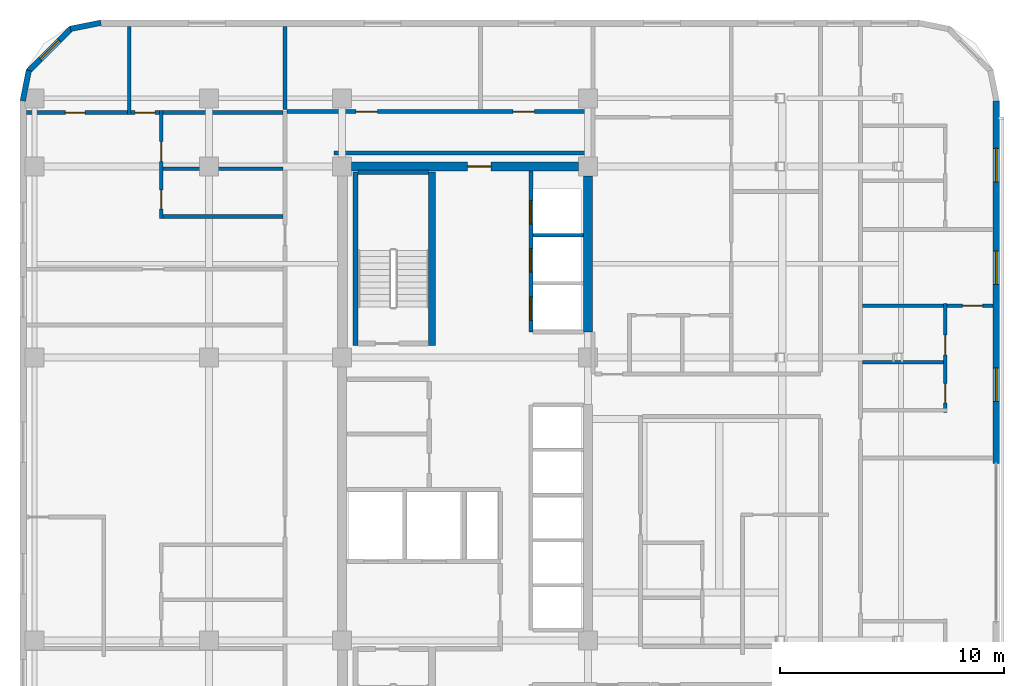
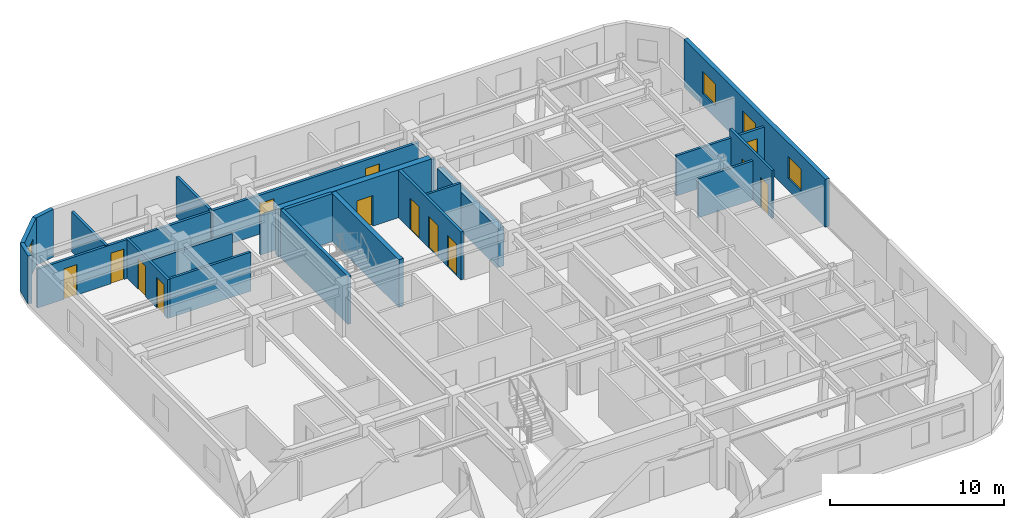
# One storey, part 9 of 14: 22 walls, 13 doors, 4 windows, 17 openings.
"""IFC4 building model written with IfcOpenShell, lengths in metres."""

import ifcopenshell
import ifcopenshell.guid

model = None  # the IFC model being written
_history = None  # IfcOwnerHistory: only IFC2X3 demands one
_inside = {}  # id of a spatial element -> (the spatial element, [elements in it])
_under = {}  # id of a project, library or spatial element -> (it, [spatial elements below it])
_declared = {}  # id of a project -> (the project, [libraries it declares])
_typed = {}  # id of a type object -> (the type object, [elements of that type])
_made_of = {}  # id of a material, layer set ... -> (it, [elements and type objects made of it])


def new_model(schema):
    """Start an empty IFC model of exactly this schema.

    Asked for "IFC4X3", IfcOpenShell would pick the latest addendum, in which some entities
    have other attributes; the version numbers below select the first issue.
    IFC2X3 requires an IfcOwnerHistory on every rooted entity: one is made here for all.
    """
    global model, _history
    if schema == "IFC4X3":
        model = ifcopenshell.file(schema_version=(4, 3, 0, 0))
    else:
        model = ifcopenshell.file(schema=schema)
    _inside.clear()
    _under.clear()
    _declared.clear()
    _typed.clear()
    _made_of.clear()
    _history = None
    if model.schema == "IFC2X3":
        org = make("IfcOrganization", Name="unknown")
        user = make(
            "IfcPersonAndOrganization",
            ThePerson=make("IfcPerson", FamilyName="unknown"),
            TheOrganization=org,
        )
        app = make(
            "IfcApplication",
            ApplicationDeveloper=org,
            Version="unknown",
            ApplicationFullName="unknown",
            ApplicationIdentifier="unknown",
        )
        _history = make(
            "IfcOwnerHistory",
            OwningUser=user,
            OwningApplication=app,
            ChangeAction="ADDED",
            CreationDate=0,
        )
    return model


def make(cls, **values):
    """One entity of the class cls with the attributes given. An attribute that is None is left unset."""
    return model.create_entity(
        cls, **{name: value for name, value in values.items() if value is not None}
    )


def rooted(cls, **values):
    """An entity with a GlobalId (a new one), such as an element, a storey or a relation."""
    return make(cls, GlobalId=ifcopenshell.guid.new(), OwnerHistory=_history, **values)


def si_unit(unit_type, name, prefix=None):
    """IfcSIUnit, for example si_unit("LENGTHUNIT", "METRE", prefix="MILLI")."""
    return make("IfcSIUnit", UnitType=unit_type, Prefix=prefix, Name=name)


def assignment(units):
    """IfcUnitAssignment: the units of a project."""
    return None if units is None else make("IfcUnitAssignment", Units=units)


def point(xyz):
    """IfcCartesianPoint."""
    return None if xyz is None else make("IfcCartesianPoint", Coordinates=xyz)


def direction(xyz):
    """IfcDirection."""
    return None if xyz is None else make("IfcDirection", DirectionRatios=xyz)


def frame(location, z_axis=None, x_axis=None):
    """IfcAxis2Placement3D, a coordinate frame: its origin and axes. An axis left out is left unset."""
    return make(
        "IfcAxis2Placement3D",
        Location=point(location),
        Axis=direction(z_axis),
        RefDirection=direction(x_axis),
    )


def frame_2d(location, x_axis=None):
    """IfcAxis2Placement2D, a coordinate frame in the plane: its origin and x axis."""
    return make(
        "IfcAxis2Placement2D", Location=point(location), RefDirection=direction(x_axis)
    )


def origin():
    """The frame at (0, 0, 0) with its axes left unset."""
    return frame((0.0, 0.0, 0.0))


def place(relative_to, where):
    """IfcLocalPlacement: puts the frame where relative to a parent placement (None: the world)."""
    return make(
        "IfcLocalPlacement", PlacementRelTo=relative_to, RelativePlacement=where
    )


def context(
    kind, dimensions, precision=None, world=None, true_north=None, identifier=None
):
    """IfcGeometricRepresentationContext, for example the 3D "Model" context."""
    return make(
        "IfcGeometricRepresentationContext",
        ContextIdentifier=identifier,
        ContextType=kind,
        CoordinateSpaceDimension=dimensions,
        Precision=precision,
        WorldCoordinateSystem=world,
        TrueNorth=true_north,
    )


def subcontext(parent, identifier, kind, view, scale=None):
    """IfcGeometricRepresentationSubContext, for example "Body" below "Model"."""
    return make(
        "IfcGeometricRepresentationSubContext",
        ContextIdentifier=identifier,
        ContextType=kind,
        ParentContext=parent,
        TargetScale=scale,
        TargetView=view,
    )


def project(units=None, contexts=None):
    """IfcProject with its units and contexts."""
    return rooted(
        "IfcProject",
        Name="project",
        RepresentationContexts=contexts,
        UnitsInContext=assignment(units),
    )


def spatial(cls, under=None, at=None, **own):
    """A site, building, storey or space (cls), placed at a placement, below another one or the project."""
    s = rooted(cls, ObjectPlacement=at, **own)
    if under is not None:
        _under.setdefault(under.id(), (under, []))[1].append(s)
    return s


def profile(cls, at=None, kind="AREA", **sizes):
    """A parametric profile (cls). Its sizes go by their IFC names, for example OverallWidth=200.0."""
    return make(cls, ProfileType=kind, Position=at, **sizes)


def rectangle(**sizes):
    """IfcRectangleProfileDef."""
    return profile("IfcRectangleProfileDef", **sizes)


def extrude(swept, where, along, depth):
    """IfcExtrudedAreaSolid: the profile swept, set in the frame where, extruded along a direction by depth."""
    return make(
        "IfcExtrudedAreaSolid",
        SweptArea=swept,
        Position=where,
        ExtrudedDirection=direction(along),
        Depth=depth,
    )


def shape(context_of_items, identifier, shape_type, items):
    """IfcShapeRepresentation: the items that make up one representation, for example the "Body"."""
    return make(
        "IfcShapeRepresentation",
        ContextOfItems=context_of_items,
        RepresentationIdentifier=identifier,
        RepresentationType=shape_type,
        Items=items,
    )


def material(Name=None, Category=None):
    """IfcMaterial."""
    return make("IfcMaterial", Name=Name, Category=Category)


def layer(
    of_material, thickness, ventilated=None, Name=None, Category=None, Priority=None
):
    """IfcMaterialLayer: one layer of a wall or slab, of a material (None: an air gap)."""
    return make(
        "IfcMaterialLayer",
        Material=of_material,
        LayerThickness=thickness,
        IsVentilated=ventilated,
        Name=Name,
        Category=Category,
        Priority=Priority,
    )


def layer_set(layers, Name=None):
    """IfcMaterialLayerSet."""
    return make("IfcMaterialLayerSet", MaterialLayers=layers, LayerSetName=Name)


def made_of(thing, what):
    """Note that an element or type object is made of a material, layer set ...; save() writes the relation."""
    if what is not None:
        _made_of.setdefault(what.id(), (what, []))[1].append(thing)
    return thing


def type_object(cls, material=None, **own):
    """A type object (cls), such as IfcWallType, which elements share."""
    return made_of(rooted(cls, **own), material)


def element(
    cls,
    number,
    at=None,
    inside=None,
    cuts=None,
    type_object=None,
    material=None,
    context=None,
    identifier="Body",
    shape_type=None,
    held_by="IfcProductDefinitionShape",
    body=None,
    shapes=None,
    **own,
):
    """One element of the class cls, such as IfcWall. Its Tag is "e" and its number.

    at: its placement. inside: the storey or other place that contains it. cuts: it is an
    opening in that element (IfcRelVoidsElement). A single representation is given by context,
    identifier, shape_type and body (its items); several are given by shapes. held_by: the class
    of the entity that holds the representations. save() writes the other relations.
    """
    e = rooted(cls, Tag="e%d" % number, ObjectPlacement=at, **own)
    if body is not None:
        shapes = [shape(context, identifier, shape_type, body)]
    if shapes is not None:
        e.Representation = make(held_by, Representations=shapes)
    if inside is not None:
        _inside.setdefault(inside.id(), (inside, []))[1].append(e)
    if cuts is not None:
        rooted(
            "IfcRelVoidsElement", RelatingBuildingElement=cuts, RelatedOpeningElement=e
        )
    if type_object is not None:
        _typed.setdefault(type_object.id(), (type_object, []))[1].append(e)
    return made_of(e, material)


def fill(opening, filler):
    """IfcRelFillsElement: the door or window that sits in an opening."""
    return rooted(
        "IfcRelFillsElement",
        RelatingOpeningElement=opening,
        RelatedBuildingElement=filler,
    )


def aggregate(whole, parts):
    """IfcRelAggregates: a whole, such as a stair, and the parts it consists of."""
    return rooted("IfcRelAggregates", RelatingObject=whole, RelatedObjects=parts)


def save(model, path):
    """Write the relations noted so far, then the file.

    IfcRelAggregates (storeys below a building ...), IfcRelContainedInSpatialStructure (elements
    in a storey), IfcRelDefinesByType, IfcRelAssociatesMaterial and IfcRelDeclares: one each for
    every whole, place, type object, material and project.
    """
    for whole, parts in _under.values():
        aggregate(whole, parts)
    for where, things in _inside.values():
        rooted(
            "IfcRelContainedInSpatialStructure",
            RelatedElements=things,
            RelatingStructure=where,
        )
    for kind, things in _typed.values():
        rooted("IfcRelDefinesByType", RelatedObjects=things, RelatingType=kind)
    for what, things in _made_of.values():
        rooted("IfcRelAssociatesMaterial", RelatedObjects=things, RelatingMaterial=what)
    for by, libraries in _declared.values():
        rooted("IfcRelDeclares", RelatingContext=by, RelatedDefinitions=libraries)
    model.write(path)


model = new_model("IFC4")

# Units and contexts
model_context = context("Model", 3, precision=1e-05, world=origin(), true_north=direction((0.0, 1.0)))
body_context = subcontext(model_context, "Body", "Model", "MODEL_VIEW")
ifc_project = project(units=[si_unit("LENGTHUNIT", "METRE"), si_unit("AREAUNIT", "SQUARE_METRE"), si_unit("VOLUMEUNIT", "CUBIC_METRE"), si_unit("PLANEANGLEUNIT", "RADIAN"), si_unit("MASSUNIT", "GRAM", prefix="KILO")], contexts=[model_context])

# Site, building, storey
site_placement = place(None, origin())
site = spatial("IfcSite", under=ifc_project, at=site_placement, CompositionType="ELEMENT")
building_placement = place(site_placement, origin())
building = spatial("IfcBuilding", under=site, at=building_placement, Name="Ochreholt Gables", CompositionType="ELEMENT")
storey_placement = place(building_placement, frame((0.0, 0.0, 109.800048828125)))
storey = spatial("IfcBuildingStorey", under=building, at=storey_placement, Name="L28", CompositionType="ELEMENT", Elevation=109.800048828125)

# Wall
ifc_material_1 = material(Name="Concrete 60 MPa", Category="concrete")
ifc_layer_1 = layer(ifc_material_1, 0.39990234375, Name="Concrete 60 MPa")
ifc_layer_set_1 = layer_set([ifc_layer_1], Name="Concrete 60 MPa")
wall_type_1 = type_object("IfcWallType", Name="WALL-CSW-400", PredefinedType="SHEAR", material=ifc_layer_set_1)
wall_1_placement = place(storey_placement, frame((35.199951171875, 31.35009765625, 0.0), z_axis=(0.0, 0.0, 1.0), x_axis=(0.0, 1.0, 0.0)))
element("IfcWall", 1, at=wall_1_placement, inside=storey, type_object=wall_type_1, Name="L28 Core North-East Shear Wall", PredefinedType="SHEAR", context=body_context, shape_type="SweptSolid", body=[
    extrude(rectangle(XDim=6.974853515625, YDim=0.39990234375, at=frame_2d((3.4873046875, 0.0))), origin(), (0.0, 0.0, 1.0), 2.7490234375),
])

# Wall, opening, door
wall_2_placement = place(storey_placement, frame((24.625, 38.75, 0.0), z_axis=(0.0, 0.0, 1.0), x_axis=(1.0, 0.0, 0.0)))
wall_2 = element("IfcWall", 2, at=wall_2_placement, inside=storey, type_object=wall_type_1, Name="L28 Core North Shear Wall", PredefinedType="SHEAR", context=body_context, shape_type="SweptSolid", body=[
    extrude(rectangle(XDim=10.14990234375, YDim=0.39990234375, at=frame_2d((5.074951171875, 0.0))), origin(), (0.0, 0.0, 1.0), 3.35986328125),
])
opening_1_placement = place(wall_2_placement, frame((5.199951171875, 0.0, 0.0)))
opening_1 = element("IfcOpeningElement", 3, at=opening_1_placement, cuts=wall_2, Name="Opening D-FLB", PredefinedType="OPENING", context=body_context, shape_type="SweptSolid", body=[
    extrude(rectangle(XDim=1.050048828125, YDim=2.14990234375, at=frame_2d((0.52490234375, 1.074951171875))), frame((0.0, 0.2099609375, 0.0), z_axis=(0.0, -1.0, 0.0), x_axis=(1.0, 0.0, 0.0)), (0.0, 0.0, 1.0), 0.419921875),
])
ifc_material_2 = material(Name="Hollow Metal Steel", Category="steel")
door_type_1 = type_object("IfcDoorType", Name="DR-INT-FLB1050", OperationType="NOTDEFINED", PredefinedType="DOOR", material=ifc_material_2)
door_1_placement = place(opening_1_placement, frame((1.050048828125, 0.0, 0.0), z_axis=(0.0, 0.0, 1.0), x_axis=(-1.0, 0.0, 0.0)))
door_1 = element("IfcDoor", 4, at=door_1_placement, inside=storey, type_object=door_type_1, Name="L28 Door D-C2CRN-L28", OperationType="SINGLE_SWING_RIGHT", OverallHeight=2.14990234375, OverallWidth=1.050048828125, PredefinedType="DOOR", context=body_context, shape_type="SweptSolid", body=[
    extrude(rectangle(XDim=1.050048828125, YDim=2.14990234375, at=frame_2d((0.52490234375, 1.074951171875))), frame((0.0, 0.02490234375, 0.0), z_axis=(0.0, -1.0, 0.0), x_axis=(1.0, 0.0, 0.0)), (0.0, 0.0, 1.0), 0.050048828125),
])
fill(opening_1, door_1)

# Wall, openings, windows
ifc_material_3 = material(Name="Precast concrete 40 MPa", Category="concrete")
ifc_layer_2 = layer(ifc_material_3, 0.280029296875, Name="Precast concrete 40 MPa")
ifc_layer_set_2 = layer_set([ifc_layer_2], Name="Precast concrete 40 MPa")
wall_type_2 = type_object("IfcWallType", Name="WALL-EXT-280", PredefinedType="SOLIDWALL", material=ifc_layer_set_2)
wall_3_placement = place(storey_placement, frame((53.4599609375, 25.4541015625, 0.0), z_axis=(0.0, 0.0, 1.0), x_axis=(0.0, 1.0, 0.0)))
wall_3 = element("IfcWall", 5, at=wall_3_placement, inside=storey, type_object=wall_type_2, Name="L28 East Facade Wall 2", PredefinedType="SOLIDWALL", context=body_context, shape_type="SweptSolid", body=[
    extrude(rectangle(XDim=16.225830078125, YDim=0.280029296875, at=frame_2d((8.11279296875, 0.0))), origin(), (0.0, 0.0, 1.0), 3.35986328125),
])
opening_2_placement = place(wall_3_placement, frame((2.78466796875, 0.0, 0.85009765625)))
opening_2 = element("IfcOpeningElement", 6, at=opening_2_placement, cuts=wall_3, Name="Opening WN-2", PredefinedType="OPENING", context=body_context, shape_type="SweptSolid", body=[
    extrude(rectangle(XDim=1.5, YDim=1.550048828125, at=frame_2d((0.75, 0.77490234375))), frame((0.0, 0.14990234375, 0.0), z_axis=(0.0, -1.0, 0.0), x_axis=(1.0, 0.0, 0.0)), (0.0, 0.0, 1.0), 0.300048828125),
])
opening_3_placement = place(wall_3_placement, frame((8.021728515625, 0.0, 0.85009765625)))
opening_3 = element("IfcOpeningElement", 7, at=opening_3_placement, cuts=wall_3, Name="Opening WN-2", PredefinedType="OPENING", context=body_context, shape_type="SweptSolid", body=[
    extrude(rectangle(XDim=1.5, YDim=1.550048828125, at=frame_2d((0.75, 0.77490234375))), frame((0.0, 0.14990234375, 0.0), z_axis=(0.0, -1.0, 0.0), x_axis=(1.0, 0.0, 0.0)), (0.0, 0.0, 1.0), 0.300048828125),
])
opening_4_placement = place(wall_3_placement, frame((12.60009765625, 0.0, 0.85009765625)))
opening_4 = element("IfcOpeningElement", 8, at=opening_4_placement, cuts=wall_3, Name="Opening WN-2", PredefinedType="OPENING", context=body_context, shape_type="SweptSolid", body=[
    extrude(rectangle(XDim=1.5, YDim=1.550048828125, at=frame_2d((0.75, 0.77490234375))), frame((0.0, 0.14990234375, 0.0), z_axis=(0.0, -1.0, 0.0), x_axis=(1.0, 0.0, 0.0)), (0.0, 0.0, 1.0), 0.300048828125),
])
ifc_material_4 = material(Name="Triple-Glazed Thermally Broken Aluminium Window", Category="aluminium")
window_type_1 = type_object("IfcWindowType", Name="WIN-RES-1500", PartitioningType="SINGLE_PANEL", PredefinedType="WINDOW", material=ifc_material_4)
window_1_placement = place(opening_2_placement, origin())
window_1 = element("IfcWindow", 9, at=window_1_placement, inside=storey, type_object=window_type_1, Name="L28 Window W-EXT-E2-L28-1", OverallHeight=1.550048828125, OverallWidth=1.5, PartitioningType="SINGLE_PANEL", PredefinedType="WINDOW", context=body_context, shape_type="SweptSolid", body=[
    extrude(rectangle(XDim=1.5, YDim=1.550048828125, at=frame_2d((0.75, 0.77490234375))), frame((0.0, 0.030029296875, 0.0), z_axis=(0.0, -1.0, 0.0), x_axis=(1.0, 0.0, 0.0)), (0.0, 0.0, 1.0), 0.06005859375),
])
fill(opening_2, window_1)
window_2_placement = place(opening_3_placement, origin())
window_2 = element("IfcWindow", 10, at=window_2_placement, inside=storey, type_object=window_type_1, Name="L28 Window W-EXT-E2-L28-2", OverallHeight=1.550048828125, OverallWidth=1.5, PartitioningType="SINGLE_PANEL", PredefinedType="WINDOW", context=body_context, shape_type="SweptSolid", body=[
    extrude(rectangle(XDim=1.5, YDim=1.550048828125, at=frame_2d((0.75, 0.77490234375))), frame((0.0, 0.030029296875, 0.0), z_axis=(0.0, -1.0, 0.0), x_axis=(1.0, 0.0, 0.0)), (0.0, 0.0, 1.0), 0.06005859375),
])
fill(opening_3, window_2)
window_3_placement = place(opening_4_placement, origin())
window_3 = element("IfcWindow", 11, at=window_3_placement, inside=storey, type_object=window_type_1, Name="L28 Window W-EXT-E2-L28-3", OverallHeight=1.550048828125, OverallWidth=1.5, PartitioningType="SINGLE_PANEL", PredefinedType="WINDOW", context=body_context, shape_type="SweptSolid", body=[
    extrude(rectangle(XDim=1.5, YDim=1.550048828125, at=frame_2d((0.75, 0.77490234375))), frame((0.0, 0.030029296875, 0.0), z_axis=(0.0, -1.0, 0.0), x_axis=(1.0, 0.0, 0.0)), (0.0, 0.0, 1.0), 0.06005859375),
])
fill(opening_4, window_3)

# Wall
ifc_layer_3 = layer(ifc_material_3, 0.25, Name="Precast concrete 40 MPa")
ifc_layer_set_3 = layer_set([ifc_layer_3], Name="Precast concrete 40 MPa")
wall_type_3 = type_object("IfcWallType", Name="WALL-EXT-CNR", PredefinedType="SOLIDWALL", material=ifc_layer_set_3)
wall_4_placement = place(storey_placement, frame((13.41650390625, 45.17578125, 0.0), z_axis=(0.0, 0.0, 1.0), x_axis=(-0.980809899341, -0.19496651342, 0.0)))
element("IfcWall", 12, at=wall_4_placement, inside=storey, type_object=wall_type_3, Name="L28 Rounded Corner Wall NW-1", PredefinedType="SOLIDWALL", context=body_context, shape_type="SweptSolid", body=[
    extrude(rectangle(XDim=1.388671875, YDim=0.25, at=frame_2d((0.6943359375, 0.0))), origin(), (0.0, 0.0, 1.0), 3.35986328125),
])

# Wall, opening, window
wall_5_placement = place(storey_placement, frame((12.10498046875, 44.931884765625, 0.0), z_axis=(0.0, 0.0, 1.0), x_axis=(-0.707151344399, -0.707062215165, 0.0)))
wall_5 = element("IfcWall", 13, at=wall_5_placement, inside=storey, type_object=wall_type_3, Name="L28 Rounded Corner Wall NW-2", PredefinedType="SOLIDWALL", context=body_context, shape_type="SweptSolid", body=[
    extrude(rectangle(XDim=2.7392578125, YDim=0.25, at=frame_2d((1.36962890625, 0.0))), origin(), (0.0, 0.0, 1.0), 3.35986328125),
])
opening_5_placement = place(wall_5_placement, frame((0.769775390625, 0.0, 0.85009765625)))
opening_5 = element("IfcOpeningElement", 14, at=opening_5_placement, cuts=wall_5, Name="Opening WN-3", PredefinedType="OPENING", context=body_context, shape_type="SweptSolid", body=[
    extrude(rectangle(XDim=1.199951171875, YDim=1.5, at=frame_2d((0.60009765625, 0.75))), frame((0.0, 0.135009765625, 0.0), z_axis=(0.0, -1.0, 0.0), x_axis=(1.0, 0.0, 0.0)), (0.0, 0.0, 1.0), 0.27001953125),
])
window_type_2 = type_object("IfcWindowType", Name="WIN-RES-1200", PartitioningType="SINGLE_PANEL", PredefinedType="WINDOW", material=ifc_material_4)
window_4_placement = place(opening_5_placement, origin())
window_4 = element("IfcWindow", 15, at=window_4_placement, inside=storey, type_object=window_type_2, Name="L28 Corner Bedroom Window NW", OverallHeight=1.5, OverallWidth=1.199951171875, PartitioningType="SINGLE_PANEL", PredefinedType="WINDOW", context=body_context, shape_type="SweptSolid", body=[
    extrude(rectangle(XDim=1.199951171875, YDim=1.5, at=frame_2d((0.60009765625, 0.75))), frame((0.0, 0.030029296875, 0.0), z_axis=(0.0, -1.0, 0.0), x_axis=(1.0, 0.0, 0.0)), (0.0, 0.0, 1.0), 0.06005859375),
])
fill(opening_5, window_4)

# Wall
wall_6_placement = place(storey_placement, frame((10.195068359375, 43.04541015625, 0.0), z_axis=(0.0, 0.0, 1.0), x_axis=(-0.195000137217, -0.980803214965, 0.0)))
element("IfcWall", 16, at=wall_6_placement, inside=storey, type_object=wall_type_3, Name="L28 Rounded Corner Wall NW-3", PredefinedType="SOLIDWALL", context=body_context, shape_type="SweptSolid", body=[
    extrude(rectangle(XDim=1.388427734375, YDim=0.25, at=frame_2d((0.6943359375, 0.0))), origin(), (0.0, 0.0, 1.0), 3.35986328125),
])

# Wall, openings, doors
ifc_material_5 = material(Name="Fire-Rated Gypsum Acoustic Partition", Category="gypsum")
ifc_layer_4 = layer(ifc_material_5, 0.179931640625, Name="Fire-Rated Gypsum Acoustic Partition")
ifc_layer_set_4 = layer_set([ifc_layer_4], Name="Fire-Rated Gypsum Acoustic Partition")
wall_type_4 = type_object("IfcWallType", Name="WALL-INT-CR180", PredefinedType="STANDARD", material=ifc_layer_set_4)
wall_7_placement = place(storey_placement, frame((21.739990234375, 41.199951171875, 0.0), z_axis=(0.0, 0.0, 1.0), x_axis=(1.0, 0.0, 0.0)))
wall_7 = element("IfcWall", 17, at=wall_7_placement, inside=storey, type_object=wall_type_4, Name="L28 Interior Wall WI-C2WCN-L28", PredefinedType="STANDARD", context=body_context, shape_type="SweptSolid", body=[
    extrude(rectangle(XDim=13.679931640625, YDim=0.179931640625, at=frame_2d((6.83984375, 0.0))), origin(), (0.0, 0.0, 1.0), 2.73095703125),
])
opening_6_placement = place(wall_7_placement, frame((3.090087890625, 0.0, 0.0)))
opening_6 = element("IfcOpeningElement", 18, at=opening_6_placement, cuts=wall_7, Name="Opening D-GN1", PredefinedType="OPENING", context=body_context, shape_type="SweptSolid", body=[
    extrude(rectangle(XDim=0.949951171875, YDim=2.14990234375, at=frame_2d((0.47509765625, 1.074951171875))), frame((0.0, 0.099853515625, 0.0), z_axis=(0.0, -1.0, 0.0), x_axis=(1.0, 0.0, 0.0)), (0.0, 0.0, 1.0), 0.199951171875),
])
opening_7_placement = place(wall_7_placement, frame((10.110107421875, 0.0, 0.0)))
opening_7 = element("IfcOpeningElement", 19, at=opening_7_placement, cuts=wall_7, Name="Opening D-GN1", PredefinedType="OPENING", context=body_context, shape_type="SweptSolid", body=[
    extrude(rectangle(XDim=0.949951171875, YDim=2.14990234375, at=frame_2d((0.47509765625, 1.074951171875))), frame((0.0, 0.099853515625, 0.0), z_axis=(0.0, -1.0, 0.0), x_axis=(1.0, 0.0, 0.0)), (0.0, 0.0, 1.0), 0.199951171875),
])
ifc_material_6 = material(Name="Engineered Oak Timber", Category="wood")
door_type_2 = type_object("IfcDoorType", Name="DR-INT-GEN950", OperationType="NOTDEFINED", PredefinedType="DOOR", material=ifc_material_6)
door_2_placement = place(opening_6_placement, origin())
door_2 = element("IfcDoor", 20, at=door_2_placement, inside=storey, type_object=door_type_2, Name="L28 Door D-C2NRS1-L28", OperationType="SINGLE_SWING_RIGHT", OverallHeight=2.14990234375, OverallWidth=0.949951171875, PredefinedType="DOOR", context=body_context, shape_type="SweptSolid", body=[
    extrude(rectangle(XDim=0.949951171875, YDim=2.14990234375, at=frame_2d((0.47509765625, 1.074951171875))), frame((0.0, 0.02490234375, 0.0), z_axis=(0.0, -1.0, 0.0), x_axis=(1.0, 0.0, 0.0)), (0.0, 0.0, 1.0), 0.050048828125),
])
fill(opening_6, door_2)
door_3_placement = place(opening_7_placement, origin())
door_3 = element("IfcDoor", 21, at=door_3_placement, inside=storey, type_object=door_type_2, Name="L28 Door D-C2NRS2-L28", OperationType="SINGLE_SWING_LEFT", OverallHeight=2.14990234375, OverallWidth=0.949951171875, PredefinedType="DOOR", context=body_context, shape_type="SweptSolid", body=[
    extrude(rectangle(XDim=0.949951171875, YDim=2.14990234375, at=frame_2d((0.47509765625, 1.074951171875))), frame((0.0, 0.02490234375, 0.0), z_axis=(0.0, -1.0, 0.0), x_axis=(1.0, 0.0, 0.0)), (0.0, 0.0, 1.0), 0.050048828125),
])
fill(opening_7, door_3)

# Walls
wall_8_placement = place(storey_placement, frame((23.85009765625, 39.35009765625, 0.0), z_axis=(0.0, 0.0, 1.0), x_axis=(1.0, 0.0, 0.0)))
element("IfcWall", 22, at=wall_8_placement, inside=storey, type_object=wall_type_4, Name="L28 Interior Wall WI-C2WCN2-L28", PredefinedType="STANDARD", context=body_context, shape_type="SweptSolid", body=[
    extrude(rectangle(XDim=11.56982421875, YDim=0.179931640625, at=frame_2d((5.784912109375, 0.0))), origin(), (0.0, 0.0, 1.0), 2.73095703125),
])
ifc_material_7 = material(Name="Double-Stud Acoustic Demising Wall", Category="gypsum")
ifc_layer_5 = layer(ifc_material_7, 0.179931640625, Name="Double-Stud Acoustic Demising Wall")
ifc_layer_set_5 = layer_set([ifc_layer_5], Name="Double-Stud Acoustic Demising Wall")
wall_type_5 = type_object("IfcWallType", Name="WALL-INT-DM180", PredefinedType="PARTITIONING", material=ifc_layer_set_5)
wall_9_placement = place(storey_placement, frame((21.64990234375, 41.2900390625, 0.0), z_axis=(0.0, 0.0, 1.0), x_axis=(0.0, 1.0, 0.0)))
element("IfcWall", 23, at=wall_9_placement, inside=storey, type_object=wall_type_5, Name="L28 Interior Wall WI-C2WWN-L28", PredefinedType="PARTITIONING", context=body_context, shape_type="SweptSolid", body=[
    extrude(rectangle(XDim=3.72998046875, YDim=0.179931640625, at=frame_2d((1.864990234375, 0.0))), origin(), (0.0, 0.0, 1.0), 2.808837890625),
])

# Wall, openings, doors
ifc_material_8 = material(Name="Moisture-Resistant Plumbing Chase Wall", Category="gypsum")
ifc_layer_6 = layer(ifc_material_8, 0.159912109375, Name="Moisture-Resistant Plumbing Chase Wall")
ifc_layer_set_6 = layer_set([ifc_layer_6], Name="Moisture-Resistant Plumbing Chase Wall")
wall_type_6 = type_object("IfcWallType", Name="WALL-INT-PL160", PredefinedType="PLUMBINGWALL", material=ifc_layer_set_6)
wall_10_placement = place(storey_placement, frame((51.185302734375, 27.7548828125, 0.0), z_axis=(0.0, 0.0, 1.0), x_axis=(0.0, 1.0, 0.0)))
wall_10 = element("IfcWall", 24, at=wall_10_placement, inside=storey, type_object=wall_type_6, Name="L28 Interior Wall WU-L28FE3-WX", PredefinedType="PLUMBINGWALL", context=body_context, shape_type="SweptSolid", body=[
    extrude(rectangle(XDim=4.858642578125, YDim=0.159912109375, at=frame_2d((2.42919921875, 0.0))), origin(), (0.0, 0.0, 1.0), 3.35986328125),
])
opening_8_placement = place(wall_10_placement, frame((0.419921875, 0.0, 0.0)))
opening_8 = element("IfcOpeningElement", 25, at=opening_8_placement, cuts=wall_10, Name="Opening D-BT1", PredefinedType="OPENING", context=body_context, shape_type="SweptSolid", body=[
    extrude(rectangle(XDim=0.860107421875, YDim=2.1201171875, at=frame_2d((0.43017578125, 1.06005859375))), frame((0.0, 0.08984375, 0.0), z_axis=(0.0, -1.0, 0.0), x_axis=(1.0, 0.0, 0.0)), (0.0, 0.0, 1.0), 0.179931640625),
])
opening_9_placement = place(wall_10_placement, frame((2.572021484375, 0.0, 0.0)))
opening_9 = element("IfcOpeningElement", 26, at=opening_9_placement, cuts=wall_10, Name="Opening D-GN2", PredefinedType="OPENING", context=body_context, shape_type="SweptSolid", body=[
    extrude(rectangle(XDim=0.8798828125, YDim=2.1201171875, at=frame_2d((0.43994140625, 1.06005859375))), frame((0.0, 0.08984375, 0.0), z_axis=(0.0, -1.0, 0.0), x_axis=(1.0, 0.0, 0.0)), (0.0, 0.0, 1.0), 0.179931640625),
])
door_type_3 = type_object("IfcDoorType", Name="DR-INT-BTH860", OperationType="NOTDEFINED", PredefinedType="DOOR", material=ifc_material_6)
door_4_placement = place(opening_8_placement, origin())
door_4 = element("IfcDoor", 27, at=door_4_placement, inside=storey, type_object=door_type_3, Name="L28 Door D-U-L28FE3-BTH", OperationType="SINGLE_SWING_RIGHT", OverallHeight=2.1201171875, OverallWidth=0.860107421875, PredefinedType="DOOR", context=body_context, shape_type="SweptSolid", body=[
    extrude(rectangle(XDim=0.860107421875, YDim=2.1201171875, at=frame_2d((0.43017578125, 1.06005859375))), frame((0.0, 0.02490234375, 0.0), z_axis=(0.0, -1.0, 0.0), x_axis=(1.0, 0.0, 0.0)), (0.0, 0.0, 1.0), 0.050048828125),
])
fill(opening_8, door_4)
door_type_4 = type_object("IfcDoorType", Name="DR-INT-GEN880", OperationType="NOTDEFINED", PredefinedType="DOOR", material=ifc_material_6)
door_5_placement = place(opening_9_placement, origin())
door_5 = element("IfcDoor", 28, at=door_5_placement, inside=storey, type_object=door_type_4, Name="L28 Door D-U-L28FE3-KIT", OperationType="SINGLE_SWING_LEFT", OverallHeight=2.1201171875, OverallWidth=0.8798828125, PredefinedType="DOOR", context=body_context, shape_type="SweptSolid", body=[
    extrude(rectangle(XDim=0.8798828125, YDim=2.1201171875, at=frame_2d((0.43994140625, 1.06005859375))), frame((0.0, 0.02490234375, 0.0), z_axis=(0.0, -1.0, 0.0), x_axis=(1.0, 0.0, 0.0)), (0.0, 0.0, 1.0), 0.050048828125),
])
fill(opening_9, door_5)

# Walls
wall_11_placement = place(storey_placement, frame((47.489990234375, 29.9970703125, 0.0), z_axis=(0.0, 0.0, 1.0), x_axis=(1.0, 0.0, 0.0)))
element("IfcWall", 29, at=wall_11_placement, inside=storey, type_object=wall_type_6, Name="L28 Interior Wall WU-L28FE3-WK", PredefinedType="PLUMBINGWALL", context=body_context, shape_type="SweptSolid", body=[
    extrude(rectangle(XDim=3.615234375, YDim=0.159912109375, at=frame_2d((1.8076171875, 0.0))), origin(), (0.0, 0.0, 1.0), 2.73095703125),
])
wall_12_placement = place(storey_placement, frame((16.030029296875, 36.510009765625, 0.0), z_axis=(0.0, 0.0, 1.0), x_axis=(1.0, 0.0, 0.0)))
element("IfcWall", 30, at=wall_12_placement, inside=storey, type_object=wall_type_6, Name="L28 Interior Wall WU-L28W3-FYS", PredefinedType="PLUMBINGWALL", context=body_context, shape_type="SweptSolid", body=[
    extrude(rectangle(XDim=5.530029296875, YDim=0.159912109375, at=frame_2d((2.76513671875, 0.0))), origin(), (0.0, 0.0, 1.0), 2.73095703125),
])

# Wall, openings, doors
wall_13_placement = place(storey_placement, frame((16.110107421875, 36.419921875, 0.0), z_axis=(0.0, 0.0, 1.0), x_axis=(0.0, 1.0, 0.0)))
wall_13 = element("IfcWall", 31, at=wall_13_placement, inside=storey, type_object=wall_type_6, Name="L28 Interior Wall WU-L28W3-WX", PredefinedType="PLUMBINGWALL", context=body_context, shape_type="SweptSolid", body=[
    extrude(rectangle(XDim=4.830078125, YDim=0.159912109375, at=frame_2d((2.4150390625, 0.0))), origin(), (0.0, 0.0, 1.0), 2.73095703125),
])
opening_10_placement = place(wall_13_placement, frame((0.419921875, 0.0, 0.0)))
opening_10 = element("IfcOpeningElement", 32, at=opening_10_placement, cuts=wall_13, Name="Opening D-BT1", PredefinedType="OPENING", context=body_context, shape_type="SweptSolid", body=[
    extrude(rectangle(XDim=0.860107421875, YDim=2.1201171875, at=frame_2d((0.43017578125, 1.06005859375))), frame((0.0, 0.08984375, 0.0), z_axis=(0.0, -1.0, 0.0), x_axis=(1.0, 0.0, 0.0)), (0.0, 0.0, 1.0), 0.179931640625),
])
opening_11_placement = place(wall_13_placement, frame((2.55908203125, 0.0, 0.0)))
opening_11 = element("IfcOpeningElement", 33, at=opening_11_placement, cuts=wall_13, Name="Opening D-GN2", PredefinedType="OPENING", context=body_context, shape_type="SweptSolid", body=[
    extrude(rectangle(XDim=0.8798828125, YDim=2.1201171875, at=frame_2d((0.43994140625, 1.06005859375))), frame((0.0, 0.08984375, 0.0), z_axis=(0.0, -1.0, 0.0), x_axis=(1.0, 0.0, 0.0)), (0.0, 0.0, 1.0), 0.179931640625),
])
door_6_placement = place(opening_10_placement, origin())
door_6 = element("IfcDoor", 34, at=door_6_placement, inside=storey, type_object=door_type_3, Name="L28 Door D-U-L28W3-BTH", OperationType="SINGLE_SWING_RIGHT", OverallHeight=2.1201171875, OverallWidth=0.860107421875, PredefinedType="DOOR", context=body_context, shape_type="SweptSolid", body=[
    extrude(rectangle(XDim=0.860107421875, YDim=2.1201171875, at=frame_2d((0.43017578125, 1.06005859375))), frame((0.0, 0.02490234375, 0.0), z_axis=(0.0, -1.0, 0.0), x_axis=(1.0, 0.0, 0.0)), (0.0, 0.0, 1.0), 0.050048828125),
])
fill(opening_10, door_6)
door_7_placement = place(opening_11_placement, origin())
door_7 = element("IfcDoor", 35, at=door_7_placement, inside=storey, type_object=door_type_4, Name="L28 Door D-U-L28W3-KIT", OperationType="SINGLE_SWING_LEFT", OverallHeight=2.1201171875, OverallWidth=0.8798828125, PredefinedType="DOOR", context=body_context, shape_type="SweptSolid", body=[
    extrude(rectangle(XDim=0.8798828125, YDim=2.1201171875, at=frame_2d((0.43994140625, 1.06005859375))), frame((0.0, 0.02490234375, 0.0), z_axis=(0.0, -1.0, 0.0), x_axis=(1.0, 0.0, 0.0)), (0.0, 0.0, 1.0), 0.050048828125),
])
fill(opening_11, door_7)

# Wall
wall_14_placement = place(storey_placement, frame((16.18994140625, 38.64892578125, 0.0), z_axis=(0.0, 0.0, 1.0), x_axis=(1.0, 0.0, 0.0)))
element("IfcWall", 36, at=wall_14_placement, inside=storey, type_object=wall_type_6, Name="L28 Interior Wall WU-L28W3-WK", PredefinedType="PLUMBINGWALL", context=body_context, shape_type="SweptSolid", body=[
    extrude(rectangle(XDim=5.3701171875, YDim=0.159912109375, at=frame_2d((2.68505859375, 0.0))), origin(), (0.0, 0.0, 1.0), 2.73095703125),
])

# Wall, opening, door
ifc_material_9 = material(Name="Gypsum Acoustic Stud Partition", Category="gypsum")
ifc_layer_7 = layer(ifc_material_9, 0.1650390625, Name="Gypsum Acoustic Stud Partition")
ifc_layer_set_7 = layer_set([ifc_layer_7], Name="Gypsum Acoustic Stud Partition")
wall_type_7 = type_object("IfcWallType", Name="WALL-INT-PT165", PredefinedType="PARTITIONING", material=ifc_layer_set_7)
wall_15_placement = place(storey_placement, frame((47.489990234375, 32.5234375, 0.0), z_axis=(0.0, 0.0, 1.0), x_axis=(1.0, 0.0, 0.0)))
wall_15 = element("IfcWall", 37, at=wall_15_placement, inside=storey, type_object=wall_type_7, Name="L28 Interior Wall WU-L28FE3-MN", PredefinedType="PARTITIONING", context=body_context, shape_type="SweptSolid", body=[
    extrude(rectangle(XDim=5.830078125, YDim=0.1650390625, at=frame_2d((2.9150390625, 0.0))), origin(), (0.0, 0.0, 1.0), 2.808837890625),
])
opening_12_placement = place(wall_15_placement, frame((4.467529296875, 0.0, 0.0)))
opening_12 = element("IfcOpeningElement", 38, at=opening_12_placement, cuts=wall_15, Name="Opening D-BD1", PredefinedType="OPENING", context=body_context, shape_type="SweptSolid", body=[
    extrude(rectangle(XDim=0.89990234375, YDim=2.139892578125, at=frame_2d((0.449951171875, 1.06982421875))), frame((0.0, 0.092529296875, 0.0), z_axis=(0.0, -1.0, 0.0), x_axis=(1.0, 0.0, 0.0)), (0.0, 0.0, 1.0), 0.18505859375),
])
door_type_5 = type_object("IfcDoorType", Name="DR-INT-BED900", OperationType="NOTDEFINED", PredefinedType="DOOR", material=ifc_material_6)
door_8_placement = place(opening_12_placement, origin())
door_8 = element("IfcDoor", 39, at=door_8_placement, inside=storey, type_object=door_type_5, Name="L28 Door D-U-L28FE3-BD1", OperationType="SINGLE_SWING_RIGHT", OverallHeight=2.139892578125, OverallWidth=0.89990234375, PredefinedType="DOOR", context=body_context, shape_type="SweptSolid", body=[
    extrude(rectangle(XDim=0.89990234375, YDim=2.139892578125, at=frame_2d((0.449951171875, 1.06982421875))), frame((0.0, 0.02490234375, 0.0), z_axis=(0.0, -1.0, 0.0), x_axis=(1.0, 0.0, 0.0)), (0.0, 0.0, 1.0), 0.050048828125),
])
fill(opening_12, door_8)

# Wall, openings, doors
wall_16_placement = place(storey_placement, frame((10.080078125, 41.159912109375, 0.0), z_axis=(0.0, 0.0, 1.0), x_axis=(1.0, 0.0, 0.0)))
wall_16 = element("IfcWall", 40, at=wall_16_placement, inside=storey, type_object=wall_type_7, Name="L28 Interior Wall WU-L28W3-MN", PredefinedType="PARTITIONING", context=body_context, shape_type="SweptSolid", body=[
    extrude(rectangle(XDim=11.47998046875, YDim=0.1650390625, at=frame_2d((5.739990234375, 0.0))), origin(), (0.0, 0.0, 1.0), 2.73095703125),
])
opening_13_placement = place(wall_16_placement, frame((1.75, 0.0, 0.0)))
opening_13 = element("IfcOpeningElement", 41, at=opening_13_placement, cuts=wall_16, Name="Opening D-BD2", PredefinedType="OPENING", context=body_context, shape_type="SweptSolid", body=[
    extrude(rectangle(XDim=0.8798828125, YDim=2.139892578125, at=frame_2d((0.43994140625, 1.06982421875))), frame((0.0, 0.092529296875, 0.0), z_axis=(0.0, -1.0, 0.0), x_axis=(1.0, 0.0, 0.0)), (0.0, 0.0, 1.0), 0.18505859375),
])
opening_14_placement = place(wall_16_placement, frame((4.8701171875, 0.0, 0.0)))
opening_14 = element("IfcOpeningElement", 42, at=opening_14_placement, cuts=wall_16, Name="Opening D-BD2", PredefinedType="OPENING", context=body_context, shape_type="SweptSolid", body=[
    extrude(rectangle(XDim=0.8798828125, YDim=2.139892578125, at=frame_2d((0.43994140625, 1.06982421875))), frame((0.0, 0.092529296875, 0.0), z_axis=(0.0, -1.0, 0.0), x_axis=(1.0, 0.0, 0.0)), (0.0, 0.0, 1.0), 0.18505859375),
])
door_type_6 = type_object("IfcDoorType", Name="DR-INT-BED880", OperationType="NOTDEFINED", PredefinedType="DOOR", material=ifc_material_6)
door_9_placement = place(opening_13_placement, origin())
door_9 = element("IfcDoor", 43, at=door_9_placement, inside=storey, type_object=door_type_6, Name="L28 Door D-U-L28W3-BD1", OperationType="SINGLE_SWING_LEFT", OverallHeight=2.139892578125, OverallWidth=0.8798828125, PredefinedType="DOOR", context=body_context, shape_type="SweptSolid", body=[
    extrude(rectangle(XDim=0.8798828125, YDim=2.139892578125, at=frame_2d((0.43994140625, 1.06982421875))), frame((0.0, 0.02490234375, 0.0), z_axis=(0.0, -1.0, 0.0), x_axis=(1.0, 0.0, 0.0)), (0.0, 0.0, 1.0), 0.050048828125),
])
fill(opening_13, door_9)
door_10_placement = place(opening_14_placement, origin())
door_10 = element("IfcDoor", 44, at=door_10_placement, inside=storey, type_object=door_type_6, Name="L28 Door D-U-L28W3-BD2", OperationType="SINGLE_SWING_RIGHT", OverallHeight=2.139892578125, OverallWidth=0.8798828125, PredefinedType="DOOR", context=body_context, shape_type="SweptSolid", body=[
    extrude(rectangle(XDim=0.8798828125, YDim=2.139892578125, at=frame_2d((0.43994140625, 1.06982421875))), frame((0.0, 0.02490234375, 0.0), z_axis=(0.0, -1.0, 0.0), x_axis=(1.0, 0.0, 0.0)), (0.0, 0.0, 1.0), 0.050048828125),
])
fill(opening_14, door_10)

# Walls
wall_17_placement = place(storey_placement, frame((14.679931640625, 41.080078125, 0.0), z_axis=(0.0, 0.0, 1.0), x_axis=(0.0, 1.0, 0.0)))
element("IfcWall", 45, at=wall_17_placement, inside=storey, type_object=wall_type_7, Name="L28 Interior Wall WU-L28W3-BSD", PredefinedType="PARTITIONING", context=body_context, shape_type="SweptSolid", body=[
    extrude(rectangle(XDim=3.93994140625, YDim=0.1650390625, at=frame_2d((1.969970703125, 0.0))), origin(), (0.0, 0.0, 1.0), 2.808837890625),
])
ifc_material_10 = material(Name="Gypsum Shaftliner and Steel Stud", Category="steel")
ifc_layer_8 = layer(ifc_material_10, 0.14990234375, Name="Gypsum Shaftliner and Steel Stud")
ifc_layer_set_8 = layer_set([ifc_layer_8], Name="Gypsum Shaftliner and Steel Stud")
wall_type_8 = type_object("IfcWallType", Name="WALL-INT-SH150", PredefinedType="STANDARD", material=ifc_layer_set_8)
wall_18_placement = place(storey_placement, frame((32.739990234375, 35.669921875, 0.0), z_axis=(0.0, 0.0, 1.0), x_axis=(1.0, 0.0, 0.0)))
element("IfcWall", 46, at=wall_18_placement, inside=storey, type_object=wall_type_8, Name="L28 Interior Wall WI-LFM-D2-L28", PredefinedType="STANDARD", context=body_context, shape_type="SweptSolid", body=[
    extrude(rectangle(XDim=2.260009765625, YDim=0.14990234375, at=frame_2d((1.1298828125, 0.0))), origin(), (0.0, 0.0, 1.0), 3.35986328125),
])

# Wall, openings, doors
ifc_layer_9 = layer(ifc_material_10, 0.179931640625, Name="Gypsum Shaftliner and Steel Stud")
ifc_layer_set_9 = layer_set([ifc_layer_9], Name="Gypsum Shaftliner and Steel Stud")
wall_type_9 = type_object("IfcWallType", Name="WALL-INT-SH180", PredefinedType="STANDARD", material=ifc_layer_set_9)
wall_19_placement = place(storey_placement, frame((32.64990234375, 31.35009765625, 0.0), z_axis=(0.0, 0.0, 1.0), x_axis=(0.0, 1.0, 0.0)))
wall_19 = element("IfcWall", 47, at=wall_19_placement, inside=storey, type_object=wall_type_9, Name="L28 Interior Wall WI-LFM-FR-L28", PredefinedType="STANDARD", context=body_context, shape_type="SweptSolid", body=[
    extrude(rectangle(XDim=7.199951171875, YDim=0.179931640625, at=frame_2d((3.60009765625, 0.0))), origin(), (0.0, 0.0, 1.0), 3.35986328125),
])
opening_15_placement = place(wall_19_placement, frame((0.52001953125, 0.0, 0.0)))
opening_15 = element("IfcOpeningElement", 48, at=opening_15_placement, cuts=wall_19, Name="Opening LD-PX", PredefinedType="OPENING", context=body_context, shape_type="SweptSolid", body=[
    extrude(rectangle(XDim=1.050048828125, YDim=2.199951171875, at=frame_2d((0.52490234375, 1.10009765625))), frame((0.0, 0.099853515625, 0.0), z_axis=(0.0, -1.0, 0.0), x_axis=(1.0, 0.0, 0.0)), (0.0, 0.0, 1.0), 0.199951171875),
])
opening_16_placement = place(wall_19_placement, frame((2.669921875, 0.0, 0.0)))
opening_16 = element("IfcOpeningElement", 49, at=opening_16_placement, cuts=wall_19, Name="Opening LD-PX", PredefinedType="OPENING", context=body_context, shape_type="SweptSolid", body=[
    extrude(rectangle(XDim=1.050048828125, YDim=2.199951171875, at=frame_2d((0.52490234375, 1.10009765625))), frame((0.0, 0.099853515625, 0.0), z_axis=(0.0, -1.0, 0.0), x_axis=(1.0, 0.0, 0.0)), (0.0, 0.0, 1.0), 0.199951171875),
])
opening_17_placement = place(wall_19_placement, frame((4.820068359375, 0.0, 0.0)))
opening_17 = element("IfcOpeningElement", 50, at=opening_17_placement, cuts=wall_19, Name="Opening LD-PX", PredefinedType="OPENING", context=body_context, shape_type="SweptSolid", body=[
    extrude(rectangle(XDim=1.050048828125, YDim=2.199951171875, at=frame_2d((0.52490234375, 1.10009765625))), frame((0.0, 0.099853515625, 0.0), z_axis=(0.0, -1.0, 0.0), x_axis=(1.0, 0.0, 0.0)), (0.0, 0.0, 1.0), 0.199951171875),
])
ifc_material_11 = material(Name="Stainless Steel", Category="steel")
door_type_7 = type_object("IfcDoorType", Name="DR-LFT-PX1050", OperationType="NOTDEFINED", PredefinedType="DOOR", material=ifc_material_11)
door_11_placement = place(opening_15_placement, origin())
door_11 = element("IfcDoor", 51, at=door_11_placement, inside=storey, type_object=door_type_7, Name="L28 Door LD-M1-L28", OperationType="SLIDING_TO_LEFT", OverallHeight=2.199951171875, OverallWidth=1.050048828125, PredefinedType="DOOR", context=body_context, shape_type="SweptSolid", body=[
    extrude(rectangle(XDim=1.050048828125, YDim=2.199951171875, at=frame_2d((0.52490234375, 1.10009765625))), frame((0.0, 0.02490234375, 0.0), z_axis=(0.0, -1.0, 0.0), x_axis=(1.0, 0.0, 0.0)), (0.0, 0.0, 1.0), 0.050048828125),
])
fill(opening_15, door_11)
door_12_placement = place(opening_16_placement, origin())
door_12 = element("IfcDoor", 52, at=door_12_placement, inside=storey, type_object=door_type_7, Name="L28 Door LD-M2-L28", OperationType="SLIDING_TO_LEFT", OverallHeight=2.199951171875, OverallWidth=1.050048828125, PredefinedType="DOOR", context=body_context, shape_type="SweptSolid", body=[
    extrude(rectangle(XDim=1.050048828125, YDim=2.199951171875, at=frame_2d((0.52490234375, 1.10009765625))), frame((0.0, 0.02490234375, 0.0), z_axis=(0.0, -1.0, 0.0), x_axis=(1.0, 0.0, 0.0)), (0.0, 0.0, 1.0), 0.050048828125),
])
fill(opening_16, door_12)
door_13_placement = place(opening_17_placement, origin())
door_13 = element("IfcDoor", 53, at=door_13_placement, inside=storey, type_object=door_type_7, Name="L28 Door LD-M3-L28", OperationType="SLIDING_TO_LEFT", OverallHeight=2.199951171875, OverallWidth=1.050048828125, PredefinedType="DOOR", context=body_context, shape_type="SweptSolid", body=[
    extrude(rectangle(XDim=1.050048828125, YDim=2.199951171875, at=frame_2d((0.52490234375, 1.10009765625))), frame((0.0, 0.02490234375, 0.0), z_axis=(0.0, -1.0, 0.0), x_axis=(1.0, 0.0, 0.0)), (0.0, 0.0, 1.0), 0.050048828125),
])
fill(opening_17, door_13)

# Walls
ifc_layer_10 = layer(ifc_material_1, 0.300048828125, Name="Concrete 60 MPa")
ifc_layer_set_10 = layer_set([ifc_layer_10], Name="Concrete 60 MPa")
wall_type_10 = type_object("IfcWallType", Name="WALL-SPN-300", PredefinedType="SHEAR", material=ifc_layer_set_10)
wall_20_placement = place(storey_placement, frame((28.22998046875, 30.739990234375, 0.0), z_axis=(0.0, 0.0, 1.0), x_axis=(0.0, 1.0, 0.0)))
element("IfcWall", 54, at=wall_20_placement, inside=storey, type_object=wall_type_10, Name="L28 Core North Spine Shear Wall", PredefinedType="SHEAR", context=body_context, shape_type="SweptSolid", body=[
    extrude(rectangle(XDim=7.760009765625, YDim=0.300048828125, at=frame_2d((3.8798828125, 0.0))), origin(), (0.0, 0.0, 1.0), 3.35986328125),
])
ifc_material_12 = material(Name="Concrete 50 MPa", Category="concrete")
ifc_layer_11 = layer(ifc_material_12, 0.219970703125, Name="Concrete 50 MPa")
ifc_layer_set_11 = layer_set([ifc_layer_11], Name="Concrete 50 MPa")
wall_type_11 = type_object("IfcWallType", Name="WALL-STW-220", PredefinedType="SHEAR", material=ifc_layer_set_11)
wall_21_placement = place(storey_placement, frame((24.81005859375, 30.739990234375, 0.0), z_axis=(0.0, 0.0, 1.0), x_axis=(0.0, 1.0, 0.0)))
element("IfcWall", 55, at=wall_21_placement, inside=storey, type_object=wall_type_11, Name="L28 Exit Stair 2 West Wall", PredefinedType="SHEAR", context=body_context, shape_type="SweptSolid", body=[
    extrude(rectangle(XDim=7.760009765625, YDim=0.219970703125, at=frame_2d((3.8798828125, 0.0))), origin(), (0.0, 0.0, 1.0), 3.35986328125),
])
wall_22_placement = place(storey_placement, frame((24.919921875, 38.489990234375, 0.0), z_axis=(0.0, 0.0, 1.0), x_axis=(1.0, 0.0, 0.0)))
element("IfcWall", 56, at=wall_22_placement, inside=storey, type_object=wall_type_11, Name="L28 Exit Stair 2 North Wall", PredefinedType="SHEAR", context=body_context, shape_type="SweptSolid", body=[
    extrude(rectangle(XDim=3.16015625, YDim=0.219970703125, at=frame_2d((1.580078125, 0.0))), origin(), (0.0, 0.0, 1.0), 3.35986328125),
])

save(model, "model.ifc")
